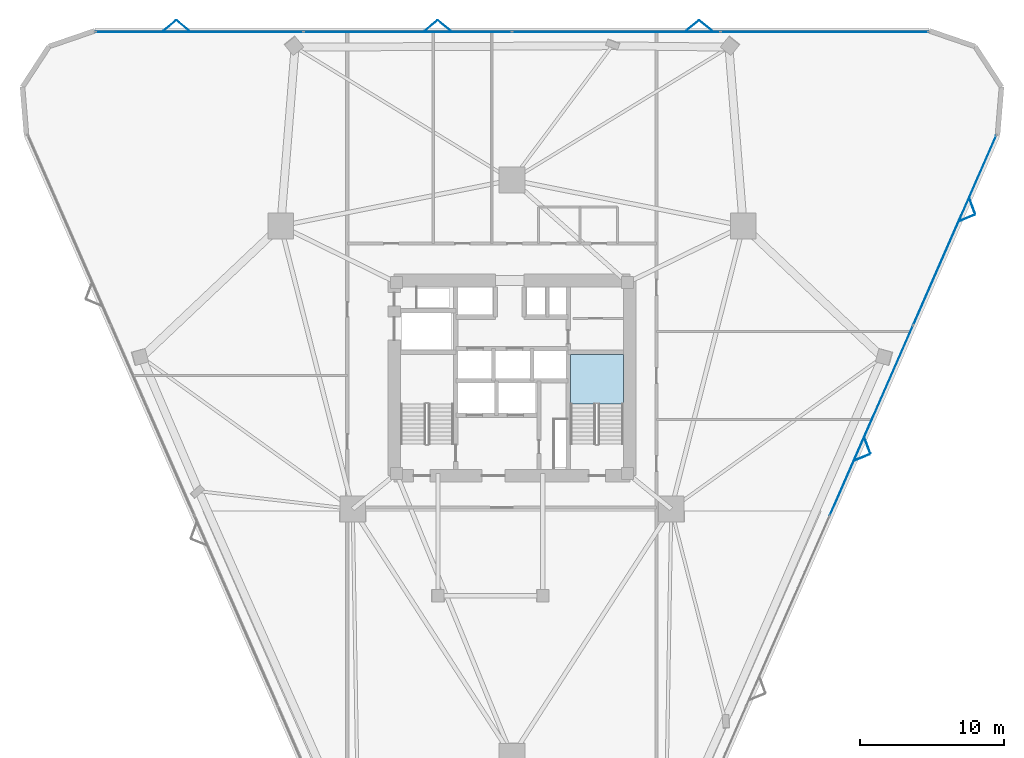
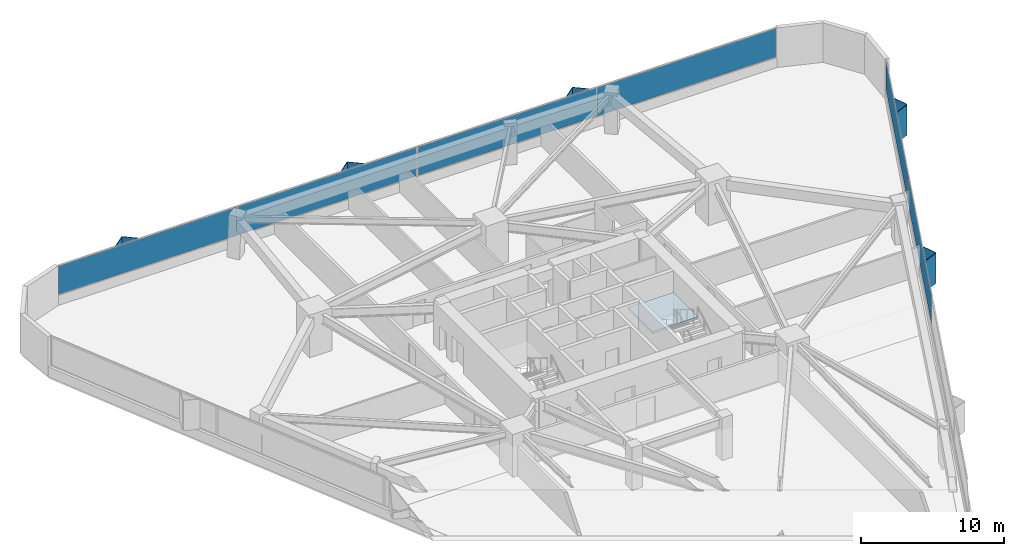
# One storey, part 16 of 21: 16 plates, 1 slab, 3 elements without a shape of their own.
"""IFC4 building model written with IfcOpenShell, lengths in metres."""

from ifc_helpers import new_model, si_unit, direction, frame, origin, origin_2d, place, context, subcontext, project, spatial, polyline, rectangle, outline, extrude, material, layer, layer_set, type_object, element, aggregate, save


model = new_model("IFC4")

# Units and contexts
model_context = context("Model", 3, precision=1e-05, world=origin(), true_north=direction((0.0, 1.0)))
body_context = subcontext(model_context, "Body", "Model", "MODEL_VIEW")
ifc_project = project(units=[si_unit("LENGTHUNIT", "METRE"), si_unit("AREAUNIT", "SQUARE_METRE"), si_unit("VOLUMEUNIT", "CUBIC_METRE"), si_unit("PLANEANGLEUNIT", "RADIAN"), si_unit("MASSUNIT", "GRAM", prefix="KILO")], contexts=[model_context])

# Site, building, storey
site_placement = place(None, origin())
site = spatial("IfcSite", under=ifc_project, at=site_placement, CompositionType="ELEMENT")
building_placement = place(site_placement, origin())
building = spatial("IfcBuilding", under=site, at=building_placement, Name="Talyreon Biosciences Tower", CompositionType="ELEMENT")
storey_placement = place(building_placement, frame((0.0, 0.0, 33.75)))
storey = spatial("IfcBuildingStorey", under=building, at=storey_placement, Name="L08", CompositionType="ELEMENT", Elevation=33.75)

# Curtain wall, plates
ifc_material_1 = material(Name="Thermally broken aluminium and low-E glazing", Category="aluminium")
ifc_layer_1 = layer(ifc_material_1, 0.195068359375)
ifc_layer_set_1 = layer_set([ifc_layer_1], Name="Thermally broken aluminium and low-E glazing")
curtain_wall_type = type_object("IfcCurtainWallType", Name="CurtainWall_Zone1WetLab", PredefinedType="NOTDEFINED", material=ifc_layer_set_1)
curtain_wall_1_placement = place(storey_placement, origin())
curtain_wall_1 = element("IfcCurtainWall", 1, at=curtain_wall_1_placement, inside=storey, type_object=curtain_wall_type, Name="L08 Unitised Curtain Wall FCW-L08-04", PredefinedType="NOTDEFINED")
ifc_material_2 = material(Name="Triple-silver low-E insulated glazing", Category="glass")
ifc_layer_2 = layer(ifc_material_2, 0.031982421875)
ifc_layer_set_2 = layer_set([ifc_layer_2], Name="Triple-silver low-E insulated glazing")
plate_type_1 = type_object("IfcPlateType", Name="CWGlazingPanel_32", PredefinedType="CURTAIN_PANEL", material=ifc_layer_set_2)
plate_1_placement = place(storey_placement, frame((44.231689453125, 92.107421875, 0.875), z_axis=(0.0, 0.0, 1.0), x_axis=(1.0, 0.0, 0.0)))
plate_1 = element("IfcPlate", 2, at=plate_1_placement, type_object=plate_type_1, Name="CW2 panel 1.1", PredefinedType="CURTAIN_PANEL", context=body_context, shape_type="SweptSolid", body=[
    extrude(rectangle(XDim=14.425537109375, YDim=0.031982421875, at=origin_2d()), origin(), (0.0, 0.0, 1.0), 2.43505859375),
])
plate_2_placement = place(storey_placement, frame((58.738525390625, 92.107421875, 0.875), z_axis=(0.0, 0.0, 1.0), x_axis=(1.0, 0.0, 0.0)))
plate_2 = element("IfcPlate", 3, at=plate_2_placement, type_object=plate_type_1, Name="CW2 panel 2.1", PredefinedType="CURTAIN_PANEL", context=body_context, shape_type="SweptSolid", body=[
    extrude(rectangle(XDim=14.4580078125, YDim=0.031982421875, at=origin_2d()), origin(), (0.0, 0.0, 1.0), 2.43505859375),
])
plate_3_placement = place(storey_placement, frame((73.261474609375, 92.107421875, 0.875), z_axis=(0.0, 0.0, 1.0), x_axis=(1.0, 0.0, 0.0)))
plate_3 = element("IfcPlate", 4, at=plate_3_placement, type_object=plate_type_1, Name="CW2 panel 3.1", PredefinedType="CURTAIN_PANEL", context=body_context, shape_type="SweptSolid", body=[
    extrude(rectangle(XDim=14.4580078125, YDim=0.031982421875, at=origin_2d()), origin(), (0.0, 0.0, 1.0), 2.43505859375),
])
plate_4_placement = place(storey_placement, frame((87.768310546875, 92.107421875, 0.875), z_axis=(0.0, 0.0, 1.0), x_axis=(1.0, 0.0, 0.0)))
plate_4 = element("IfcPlate", 5, at=plate_4_placement, type_object=plate_type_1, Name="CW2 panel 4.1", PredefinedType="CURTAIN_PANEL", context=body_context, shape_type="SweptSolid", body=[
    extrude(rectangle(XDim=14.425537109375, YDim=0.031982421875, at=origin_2d()), origin(), (0.0, 0.0, 1.0), 2.43505859375),
])
aggregate(curtain_wall_1, [plate_1, plate_2, plate_3, plate_4])

curtain_wall_2_placement = place(storey_placement, origin())
curtain_wall_2 = element("IfcCurtainWall", 6, at=curtain_wall_2_placement, inside=storey, type_object=curtain_wall_type, Name="L08 Unitised Curtain Wall FCW-L08-08", PredefinedType="NOTDEFINED")
plate_5_placement = place(storey_placement, frame((96.82470703125, 78.287109375, 0.875), z_axis=(0.0, 0.0, 1.0), x_axis=(-0.401222995321, -0.915980408101, 0.0)))
plate_5 = element("IfcPlate", 7, at=plate_5_placement, type_object=plate_type_1, Name="CW2 panel 1.1", PredefinedType="CURTAIN_PANEL", context=body_context, shape_type="SweptSolid", body=[
    extrude(rectangle(XDim=14.38134765625, YDim=0.031982421875, at=origin_2d()), origin(), (0.0, 0.0, 1.0), 2.43505859375),
])
plate_6_placement = place(storey_placement, frame((91.02197265625, 65.039794921875, 0.875), z_axis=(0.0, 0.0, 1.0), x_axis=(-0.401222995321, -0.915980408101, 0.0)))
plate_6 = element("IfcPlate", 8, at=plate_6_placement, type_object=plate_type_1, Name="CW2 panel 2.1", PredefinedType="CURTAIN_PANEL", context=body_context, shape_type="SweptSolid", body=[
    extrude(rectangle(XDim=14.413818359375, YDim=0.031982421875, at=origin_2d()), origin(), (0.0, 0.0, 1.0), 2.43505859375),
])
aggregate(curtain_wall_2, [plate_5, plate_6])

# Plates
ifc_material_3 = material(Name="Ivory GFRC sunshade panel", Category="concrete")
ifc_layer_3 = layer(ifc_material_3, 0.044921875)
ifc_layer_set_3 = layer_set([ifc_layer_3], Name="Ivory GFRC sunshade panel")
plate_type_2 = type_object("IfcPlateType", Name="FoldedVSunshade_NorthFace_SUNSHADE", PredefinedType="USERDEFINED", material=ifc_layer_set_3)
for number, where, z_axis, x_axis, name in (
    (9, (42.173828125, 92.547607421875, 0.7900390625), (0.0, 0.0, 1.0), (0.771624583388, 0.636078220278, 0.0), "L08 Folded V-Sunshade Panel 04.01L"),
    (10, (43.073974609375, 92.547607421875, 0.7900390625), (0.0, 0.0, 1.0), (0.771624583388, -0.636078220278, 0.0), "L08 Folded V-Sunshade Panel 04.01R"),
    (11, (60.373779296875, 92.547607421875, 0.7900390625), (0.0, 0.0, 1.0), (0.771624583388, 0.636078220278, 0.0), "L08 Folded V-Sunshade Panel 04.02L"),
    (12, (61.27392578125, 92.547607421875, 0.7900390625), (0.0, 0.0, 1.0), (0.771624583388, -0.636078220278, 0.0), "L08 Folded V-Sunshade Panel 04.02R"),
    (13, (78.573974609375, 92.547607421875, 0.7900390625), (0.0, 0.0, 1.0), (0.771624583388, 0.636078220278, 0.0), "L08 Folded V-Sunshade Panel 04.03L"),
    (14, (79.473876953125, 92.547607421875, 0.7900390625), (0.0, 0.0, 1.0), (0.771624583388, -0.636078220278, 0.0), "L08 Folded V-Sunshade Panel 04.03R"),
):
    element("IfcPlate", number, at=place(storey_placement, frame(where, z_axis=z_axis, x_axis=x_axis)), inside=storey, type_object=plate_type_2, Name=name, ObjectType="SUNSHADE", PredefinedType="USERDEFINED", context=body_context, shape_type="SweptSolid", body=[
        extrude(rectangle(XDim=1.14990234375, YDim=0.044921875, at=origin_2d()), origin(), (0.0, 0.0, 1.0), 2.5849609375),
    ])
ifc_layer_4 = layer(ifc_material_3, 0.044921875)
ifc_layer_set_4 = layer_set([ifc_layer_4], Name="Ivory GFRC sunshade panel")
plate_type_3 = type_object("IfcPlateType", Name="FoldedVSunshade_SunFace_SUNSHADE", PredefinedType="USERDEFINED", material=ifc_layer_set_4)
for number, where, z_axis, x_axis, name in (
    (15, (98.044677734375, 79.97509765625, 0.7900390625), (0.0, 0.0, 1.0), (0.347672160741, -0.937616162748, 0.0), "L08 Folded V-Sunshade Panel 08.01L"),
    (16, (97.68359375, 79.15087890625, 0.7900390625), (0.0, 0.0, 1.0), (-0.924911408888, -0.380182700434, 0.0), "L08 Folded V-Sunshade Panel 08.01R"),
    (17, (90.7421875, 63.304443359375, 0.7900390625), (0.0, 0.0, 1.0), (0.347672160741, -0.937616162748, 0.0), "L08 Folded V-Sunshade Panel 08.02L"),
    (18, (90.381103515625, 62.47998046875, 0.7900390625), (0.0, 0.0, 1.0), (-0.924911408888, -0.380182700434, 0.0), "L08 Folded V-Sunshade Panel 08.02R"),
):
    element("IfcPlate", number, at=place(storey_placement, frame(where, z_axis=z_axis, x_axis=x_axis)), inside=storey, type_object=plate_type_3, Name=name, ObjectType="SUNSHADE", PredefinedType="USERDEFINED", context=body_context, shape_type="SweptSolid", body=[
        extrude(rectangle(XDim=1.14990234375, YDim=0.044921875, at=origin_2d()), origin(), (0.0, 0.0, 1.0), 2.5849609375),
    ])

# Stair, slab
ifc_material_4 = material(Name="Concrete C40/50", Category="concrete")
stair_type = type_object("IfcStairType", Name="DoglegEscapeStair_3650", PredefinedType="HALF_TURN_STAIR", material=ifc_material_4)
stair_placement = place(storey_placement, origin())
stair = element("IfcStair", 19, at=stair_placement, inside=storey, type_object=stair_type, Name="L08 Core Escape Stair 2", PredefinedType="HALF_TURN_STAIR")
ifc_layer_5 = layer(ifc_material_4, 0.199951171875)
ifc_layer_set_5 = layer_set([ifc_layer_5], Name="Concrete C40/50")
slab_type = type_object("IfcSlabType", Name="StairLandingSlab_200", PredefinedType="LANDING", material=ifc_layer_set_5)
slab_placement = place(storey_placement, frame((0.0, 0.0, 1.625)))
slab = element("IfcSlab", 20, at=slab_placement, type_object=slab_type, Name="ST-2 landing 1", PredefinedType="LANDING", context=body_context, shape_type="SweptSolid", body=[
    extrude(outline(polyline([(73.75, 66.199951171875), (73.75, 69.64990234375), (70.070068359375, 69.64990234375), (70.070068359375, 66.199951171875), (73.75, 66.199951171875)])), origin(), (0.0, 0.0, 1.0), 0.199951171875),
])
aggregate(stair, [slab])

save(model, "model.ifc")
